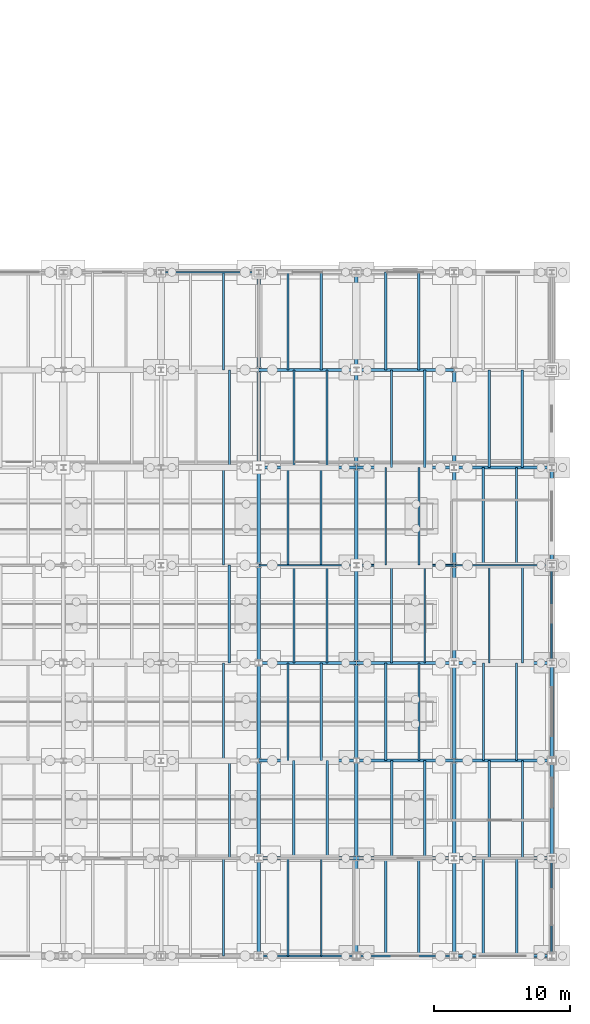
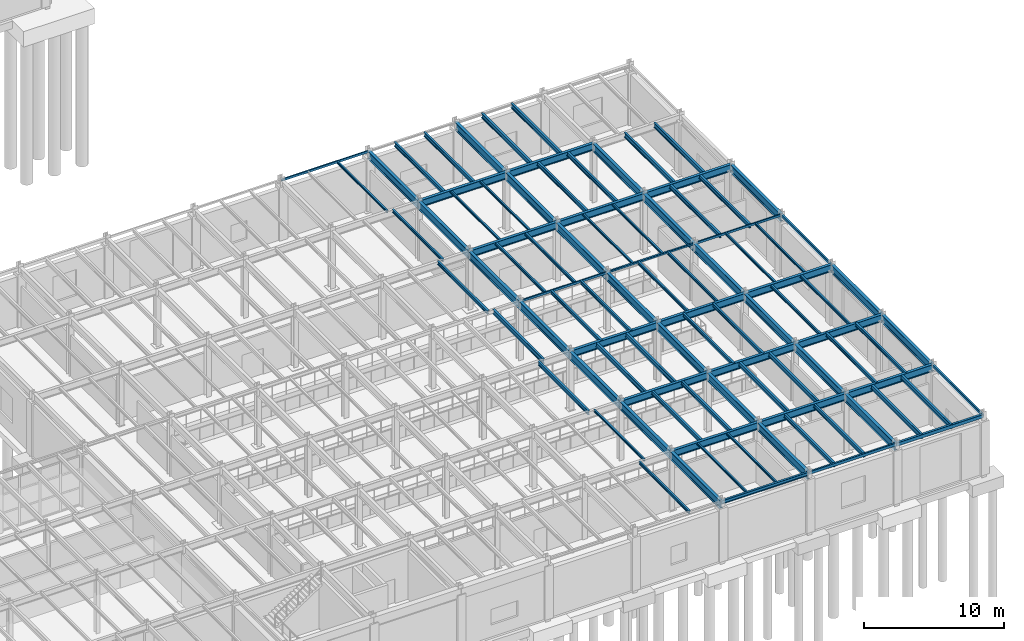
# One storey, part 163 of 293: 93 beams.
"""IFC4 building model written with IfcOpenShell, lengths in metres."""

from ifc_helpers import new_model, si_unit, direction, frame, origin, origin_2d, place, context, subcontext, project, spatial, hollow_rectangle, i_section, extrude, material, material_profile, profile_set, type_object, element, save


model = new_model("IFC4")

# Units and contexts
model_context = context("Model", 3, precision=1e-05, world=origin(), true_north=direction((0.0, 1.0)))
body_context = subcontext(model_context, "Body", "Model", "MODEL_VIEW")
ifc_project = project(units=[si_unit("LENGTHUNIT", "METRE"), si_unit("AREAUNIT", "SQUARE_METRE"), si_unit("VOLUMEUNIT", "CUBIC_METRE"), si_unit("PLANEANGLEUNIT", "RADIAN"), si_unit("MASSUNIT", "GRAM", prefix="KILO")], contexts=[model_context])

# Site, building, storey
site_placement = place(None, origin())
site = spatial("IfcSite", under=ifc_project, at=site_placement, CompositionType="ELEMENT")
building_placement = place(site_placement, origin())
building = spatial("IfcBuilding", under=site, at=building_placement, Name="Kemerveld Promenade Tramway Depot", CompositionType="ELEMENT")
storey_placement = place(building_placement, origin())
storey = spatial("IfcBuildingStorey", under=building, at=storey_placement, Name="L00", CompositionType="ELEMENT", Elevation=0.0)

# Beams
ifc_material = material(Name="Steel S355", Category="steel")
ifc_material_profile_1 = material_profile(ifc_material, i_section(OverallWidth=0.25439453125, OverallDepth=0.6875, WebThickness=0.01318359375, FlangeThickness=0.02099609375, FilletRadius=0.01513671875, at=origin_2d()), Name="686x254x152 UB")
ifc_profile_set_1 = profile_set([ifc_material_profile_1], Name="Steel S355")
beam_type_1 = type_object("IfcBeamType", Name="BM-G03", PredefinedType="BEAM", material=ifc_profile_set_1)
for number, where, z_axis, x_axis, name in (
    (1, (194.39990234375, 0.0, 4.7763671875), (0.0, 1.0, 0.0), (-1.0, 0.0, 0.0), "BMY-L00-28-A-B"),
    (2, (194.39990234375, 7.199951171875, 4.7763671875), (0.0, 1.0, 0.0), (-1.0, 0.0, 0.0), "BMY-L00-28-B-C"),
):
    element("IfcBeam", number, at=place(storey_placement, frame(where, z_axis=z_axis, x_axis=x_axis)), inside=storey, type_object=beam_type_1, Name=name, PredefinedType="BEAM", context=body_context, shape_type="SweptSolid", body=[
        extrude(i_section(OverallWidth=0.25439453125, OverallDepth=0.6875, WebThickness=0.01318359375, FlangeThickness=0.02099609375, FilletRadius=0.01513671875, at=origin_2d()), origin(), (0.0, 0.0, 1.0), 7.199951171875),
    ])
beam_1_placement = place(storey_placement, frame((194.39990234375, 14.39990234375, 4.7763671875), z_axis=(0.0, 1.0, 0.0), x_axis=(-1.0, 0.0, 0.0)))
element("IfcBeam", 3, at=beam_1_placement, inside=storey, type_object=beam_type_1, Name="BMY-L00-28-C-D", PredefinedType="BEAM", context=body_context, shape_type="SweptSolid", body=[
    extrude(i_section(OverallWidth=0.25439453125, OverallDepth=0.6875, WebThickness=0.01318359375, FlangeThickness=0.02099609375, FilletRadius=0.01513671875, at=origin_2d()), origin(), (0.0, 0.0, 1.0), 7.2001953125),
])
for number, where, z_axis, x_axis, name in (
    (4, (194.39990234375, 21.60009765625, 4.7763671875), (0.0, 1.0, 0.0), (-1.0, 0.0, 0.0), "BMY-L00-28-D-E"),
    (5, (194.39990234375, 28.800048828125, 4.7763671875), (0.0, 1.0, 0.0), (-1.0, 0.0, 0.0), "BMY-L00-28-E-F"),
    (6, (194.39990234375, 36.0, 4.7763671875), (0.0, 1.0, 0.0), (-1.0, 0.0, 0.0), "BMY-L00-28-F-G"),
    (7, (194.39990234375, 43.199951171875, 4.7763671875), (0.0, 1.0, 0.0), (-1.0, 0.0, 0.0), "BMY-L00-28-G-H"),
    (8, (201.60009765625, 0.0, 4.7763671875), (0.0, 1.0, 0.0), (-1.0, 0.0, 0.0), "BMY-L00-29-A-B"),
    (9, (201.60009765625, 7.199951171875, 4.7763671875), (0.0, 1.0, 0.0), (-1.0, 0.0, 0.0), "BMY-L00-29-B-C"),
):
    element("IfcBeam", number, at=place(storey_placement, frame(where, z_axis=z_axis, x_axis=x_axis)), inside=storey, type_object=beam_type_1, Name=name, PredefinedType="BEAM", context=body_context, shape_type="SweptSolid", body=[
        extrude(i_section(OverallWidth=0.25439453125, OverallDepth=0.6875, WebThickness=0.01318359375, FlangeThickness=0.02099609375, FilletRadius=0.01513671875, at=origin_2d()), origin(), (0.0, 0.0, 1.0), 7.199951171875),
    ])
beam_2_placement = place(storey_placement, frame((201.60009765625, 14.39990234375, 4.7763671875), z_axis=(0.0, 1.0, 0.0), x_axis=(-1.0, 0.0, 0.0)))
element("IfcBeam", 10, at=beam_2_placement, inside=storey, type_object=beam_type_1, Name="BMY-L00-29-C-D", PredefinedType="BEAM", context=body_context, shape_type="SweptSolid", body=[
    extrude(i_section(OverallWidth=0.25439453125, OverallDepth=0.6875, WebThickness=0.01318359375, FlangeThickness=0.02099609375, FilletRadius=0.01513671875, at=origin_2d()), origin(), (0.0, 0.0, 1.0), 7.2001953125),
])
for number, where, z_axis, x_axis, name in (
    (11, (201.60009765625, 21.60009765625, 4.7763671875), (0.0, 1.0, 0.0), (-1.0, 0.0, 0.0), "BMY-L00-29-D-E"),
    (12, (201.60009765625, 28.800048828125, 4.7763671875), (0.0, 1.0, 0.0), (-1.0, 0.0, 0.0), "BMY-L00-29-E-F"),
    (13, (201.60009765625, 36.0, 4.7763671875), (0.0, 1.0, 0.0), (-1.0, 0.0, 0.0), "BMY-L00-29-F-G"),
    (14, (201.60009765625, 43.199951171875, 4.7763671875), (0.0, 1.0, 0.0), (-1.0, 0.0, 0.0), "BMY-L00-29-G-H"),
    (15, (208.800048828125, 0.0, 4.7763671875), (0.0, 1.0, 0.0), (-1.0, 0.0, 0.0), "BMY-L00-30-A-B"),
    (16, (208.800048828125, 7.199951171875, 4.7763671875), (0.0, 1.0, 0.0), (-1.0, 0.0, 0.0), "BMY-L00-30-B-C"),
):
    element("IfcBeam", number, at=place(storey_placement, frame(where, z_axis=z_axis, x_axis=x_axis)), inside=storey, type_object=beam_type_1, Name=name, PredefinedType="BEAM", context=body_context, shape_type="SweptSolid", body=[
        extrude(i_section(OverallWidth=0.25439453125, OverallDepth=0.6875, WebThickness=0.01318359375, FlangeThickness=0.02099609375, FilletRadius=0.01513671875, at=origin_2d()), origin(), (0.0, 0.0, 1.0), 7.199951171875),
    ])
beam_3_placement = place(storey_placement, frame((208.800048828125, 14.39990234375, 4.7763671875), z_axis=(0.0, 1.0, 0.0), x_axis=(-1.0, 0.0, 0.0)))
element("IfcBeam", 17, at=beam_3_placement, inside=storey, type_object=beam_type_1, Name="BMY-L00-30-C-D", PredefinedType="BEAM", context=body_context, shape_type="SweptSolid", body=[
    extrude(i_section(OverallWidth=0.25439453125, OverallDepth=0.6875, WebThickness=0.01318359375, FlangeThickness=0.02099609375, FilletRadius=0.01513671875, at=origin_2d()), origin(), (0.0, 0.0, 1.0), 7.2001953125),
])
for number, where, z_axis, x_axis, name in (
    (18, (208.800048828125, 21.60009765625, 4.7763671875), (0.0, 1.0, 0.0), (-1.0, 0.0, 0.0), "BMY-L00-30-D-E"),
    (19, (208.800048828125, 28.800048828125, 4.7763671875), (0.0, 1.0, 0.0), (-1.0, 0.0, 0.0), "BMY-L00-30-E-F"),
    (20, (208.800048828125, 36.0, 4.7763671875), (0.0, 1.0, 0.0), (-1.0, 0.0, 0.0), "BMY-L00-30-F-G"),
    (21, (216.0, 7.199951171875, 4.7763671875), (0.0, 1.0, 0.0), (-1.0, 0.0, 0.0), "BMY-L00-31-B-C"),
):
    element("IfcBeam", number, at=place(storey_placement, frame(where, z_axis=z_axis, x_axis=x_axis)), inside=storey, type_object=beam_type_1, Name=name, PredefinedType="BEAM", context=body_context, shape_type="SweptSolid", body=[
        extrude(i_section(OverallWidth=0.25439453125, OverallDepth=0.6875, WebThickness=0.01318359375, FlangeThickness=0.02099609375, FilletRadius=0.01513671875, at=origin_2d()), origin(), (0.0, 0.0, 1.0), 7.199951171875),
    ])
beam_4_placement = place(storey_placement, frame((216.0, 14.39990234375, 4.7763671875), z_axis=(0.0, 1.0, 0.0), x_axis=(-1.0, 0.0, 0.0)))
element("IfcBeam", 22, at=beam_4_placement, inside=storey, type_object=beam_type_1, Name="BMY-L00-31-C-D", PredefinedType="BEAM", context=body_context, shape_type="SweptSolid", body=[
    extrude(i_section(OverallWidth=0.25439453125, OverallDepth=0.6875, WebThickness=0.01318359375, FlangeThickness=0.02099609375, FilletRadius=0.01513671875, at=origin_2d()), origin(), (0.0, 0.0, 1.0), 7.2001953125),
])
beam_5_placement = place(storey_placement, frame((216.0, 28.800048828125, 4.7763671875), z_axis=(0.0, 1.0, 0.0), x_axis=(-1.0, 0.0, 0.0)))
element("IfcBeam", 23, at=beam_5_placement, inside=storey, type_object=beam_type_1, Name="BMY-L00-31-E-F", PredefinedType="BEAM", context=body_context, shape_type="SweptSolid", body=[
    extrude(i_section(OverallWidth=0.25439453125, OverallDepth=0.6875, WebThickness=0.01318359375, FlangeThickness=0.02099609375, FilletRadius=0.01513671875, at=origin_2d()), origin(), (0.0, 0.0, 1.0), 7.199951171875),
])
ifc_material_profile_2 = material_profile(ifc_material, i_section(OverallWidth=0.22900390625, OverallDepth=0.6123046875, WebThickness=0.011962890625, FlangeThickness=0.01953125, FilletRadius=0.0126953125, at=origin_2d()), Name="610x229x125 UB")
ifc_profile_set_2 = profile_set([ifc_material_profile_2], Name="Steel S355")
beam_type_2 = type_object("IfcBeamType", Name="BM-G04", PredefinedType="BEAM", material=ifc_profile_set_2)
beam_6_placement = place(storey_placement, frame((194.39990234375, 7.199951171875, 4.81396484375), z_axis=(1.0, 0.0, 0.0), x_axis=(0.0, 1.0, 0.0)))
element("IfcBeam", 24, at=beam_6_placement, inside=storey, type_object=beam_type_2, Name="BMX-L00-28-29-B", PredefinedType="BEAM", context=body_context, shape_type="SweptSolid", body=[
    extrude(i_section(OverallWidth=0.22900390625, OverallDepth=0.6123046875, WebThickness=0.011962890625, FlangeThickness=0.01953125, FilletRadius=0.0126953125, at=origin_2d()), origin(), (0.0, 0.0, 1.0), 7.2001953125),
])
for number, where, z_axis, x_axis, name in (
    (25, (201.60009765625, 7.199951171875, 4.81396484375), (1.0, 0.0, 0.0), (0.0, 1.0, 0.0), "BMX-L00-29-30-B"),
    (26, (208.800048828125, 7.199951171875, 4.81396484375), (1.0, 0.0, 0.0), (0.0, 1.0, 0.0), "BMX-L00-30-31-B"),
):
    element("IfcBeam", number, at=place(storey_placement, frame(where, z_axis=z_axis, x_axis=x_axis)), inside=storey, type_object=beam_type_2, Name=name, PredefinedType="BEAM", context=body_context, shape_type="SweptSolid", body=[
        extrude(i_section(OverallWidth=0.22900390625, OverallDepth=0.6123046875, WebThickness=0.011962890625, FlangeThickness=0.01953125, FilletRadius=0.0126953125, at=origin_2d()), origin(), (0.0, 0.0, 1.0), 7.199951171875),
    ])
beam_7_placement = place(storey_placement, frame((194.39990234375, 14.39990234375, 4.81396484375), z_axis=(1.0, 0.0, 0.0), x_axis=(0.0, 1.0, 0.0)))
element("IfcBeam", 27, at=beam_7_placement, inside=storey, type_object=beam_type_2, Name="BMX-L00-28-29-C", PredefinedType="BEAM", context=body_context, shape_type="SweptSolid", body=[
    extrude(i_section(OverallWidth=0.22900390625, OverallDepth=0.6123046875, WebThickness=0.011962890625, FlangeThickness=0.01953125, FilletRadius=0.0126953125, at=origin_2d()), origin(), (0.0, 0.0, 1.0), 7.2001953125),
])
for number, where, z_axis, x_axis, name in (
    (28, (201.60009765625, 14.39990234375, 4.81396484375), (1.0, 0.0, 0.0), (0.0, 1.0, 0.0), "BMX-L00-29-30-C"),
    (29, (208.800048828125, 14.39990234375, 4.81396484375), (1.0, 0.0, 0.0), (0.0, 1.0, 0.0), "BMX-L00-30-31-C"),
):
    element("IfcBeam", number, at=place(storey_placement, frame(where, z_axis=z_axis, x_axis=x_axis)), inside=storey, type_object=beam_type_2, Name=name, PredefinedType="BEAM", context=body_context, shape_type="SweptSolid", body=[
        extrude(i_section(OverallWidth=0.22900390625, OverallDepth=0.6123046875, WebThickness=0.011962890625, FlangeThickness=0.01953125, FilletRadius=0.0126953125, at=origin_2d()), origin(), (0.0, 0.0, 1.0), 7.199951171875),
    ])
beam_8_placement = place(storey_placement, frame((194.39990234375, 21.60009765625, 4.81396484375), z_axis=(1.0, 0.0, 0.0), x_axis=(0.0, 1.0, 0.0)))
element("IfcBeam", 30, at=beam_8_placement, inside=storey, type_object=beam_type_2, Name="BMX-L00-28-29-D", PredefinedType="BEAM", context=body_context, shape_type="SweptSolid", body=[
    extrude(i_section(OverallWidth=0.22900390625, OverallDepth=0.6123046875, WebThickness=0.011962890625, FlangeThickness=0.01953125, FilletRadius=0.0126953125, at=origin_2d()), origin(), (0.0, 0.0, 1.0), 7.2001953125),
])
for number, where, z_axis, x_axis, name in (
    (31, (201.60009765625, 21.60009765625, 4.81396484375), (1.0, 0.0, 0.0), (0.0, 1.0, 0.0), "BMX-L00-29-30-D"),
    (32, (208.800048828125, 21.60009765625, 4.81396484375), (1.0, 0.0, 0.0), (0.0, 1.0, 0.0), "BMX-L00-30-31-D"),
):
    element("IfcBeam", number, at=place(storey_placement, frame(where, z_axis=z_axis, x_axis=x_axis)), inside=storey, type_object=beam_type_2, Name=name, PredefinedType="BEAM", context=body_context, shape_type="SweptSolid", body=[
        extrude(i_section(OverallWidth=0.22900390625, OverallDepth=0.6123046875, WebThickness=0.011962890625, FlangeThickness=0.01953125, FilletRadius=0.0126953125, at=origin_2d()), origin(), (0.0, 0.0, 1.0), 7.199951171875),
    ])
beam_9_placement = place(storey_placement, frame((194.39990234375, 36.0, 4.81396484375), z_axis=(1.0, 0.0, 0.0), x_axis=(0.0, 1.0, 0.0)))
element("IfcBeam", 33, at=beam_9_placement, inside=storey, type_object=beam_type_2, Name="BMX-L00-28-29-F", PredefinedType="BEAM", context=body_context, shape_type="SweptSolid", body=[
    extrude(i_section(OverallWidth=0.22900390625, OverallDepth=0.6123046875, WebThickness=0.011962890625, FlangeThickness=0.01953125, FilletRadius=0.0126953125, at=origin_2d()), origin(), (0.0, 0.0, 1.0), 7.2001953125),
])
for number, where, z_axis, x_axis, name in (
    (34, (201.60009765625, 36.0, 4.81396484375), (1.0, 0.0, 0.0), (0.0, 1.0, 0.0), "BMX-L00-29-30-F"),
    (35, (208.800048828125, 36.0, 4.81396484375), (1.0, 0.0, 0.0), (0.0, 1.0, 0.0), "BMX-L00-30-31-F"),
):
    element("IfcBeam", number, at=place(storey_placement, frame(where, z_axis=z_axis, x_axis=x_axis)), inside=storey, type_object=beam_type_2, Name=name, PredefinedType="BEAM", context=body_context, shape_type="SweptSolid", body=[
        extrude(i_section(OverallWidth=0.22900390625, OverallDepth=0.6123046875, WebThickness=0.011962890625, FlangeThickness=0.01953125, FilletRadius=0.0126953125, at=origin_2d()), origin(), (0.0, 0.0, 1.0), 7.199951171875),
    ])
beam_10_placement = place(storey_placement, frame((194.39990234375, 43.199951171875, 4.81396484375), z_axis=(1.0, 0.0, 0.0), x_axis=(0.0, 1.0, 0.0)))
element("IfcBeam", 36, at=beam_10_placement, inside=storey, type_object=beam_type_2, Name="BMX-L00-28-29-G", PredefinedType="BEAM", context=body_context, shape_type="SweptSolid", body=[
    extrude(i_section(OverallWidth=0.22900390625, OverallDepth=0.6123046875, WebThickness=0.011962890625, FlangeThickness=0.01953125, FilletRadius=0.0126953125, at=origin_2d()), origin(), (0.0, 0.0, 1.0), 7.2001953125),
])
beam_11_placement = place(storey_placement, frame((201.60009765625, 43.199951171875, 4.81396484375), z_axis=(1.0, 0.0, 0.0), x_axis=(0.0, 1.0, 0.0)))
element("IfcBeam", 37, at=beam_11_placement, inside=storey, type_object=beam_type_2, Name="BMX-L00-29-30-G", PredefinedType="BEAM", context=body_context, shape_type="SweptSolid", body=[
    extrude(i_section(OverallWidth=0.22900390625, OverallDepth=0.6123046875, WebThickness=0.011962890625, FlangeThickness=0.01953125, FilletRadius=0.0126953125, at=origin_2d()), origin(), (0.0, 0.0, 1.0), 7.199951171875),
])
ifc_material_profile_3 = material_profile(ifc_material, i_section(OverallWidth=0.165771484375, OverallDepth=0.306640625, WebThickness=0.006591796875, FlangeThickness=0.01171875, FilletRadius=0.0087890625, at=origin_2d()), Name="305x165x46 UB")
ifc_profile_set_3 = profile_set([ifc_material_profile_3], Name="Steel S355")
beam_type_3 = type_object("IfcBeamType", Name="BM-G16", PredefinedType="BEAM", material=ifc_profile_set_3)
beam_12_placement = place(storey_placement, frame((194.39990234375, 0.0, 4.966796875), z_axis=(1.0, 0.0, 0.0), x_axis=(0.0, 1.0, 0.0)))
element("IfcBeam", 38, at=beam_12_placement, inside=storey, type_object=beam_type_3, Name="BMX-L00-28-29-A", PredefinedType="BEAM", context=body_context, shape_type="SweptSolid", body=[
    extrude(i_section(OverallWidth=0.165771484375, OverallDepth=0.306640625, WebThickness=0.006591796875, FlangeThickness=0.01171875, FilletRadius=0.0087890625, at=origin_2d()), origin(), (0.0, 0.0, 1.0), 7.2001953125),
])
ifc_material_profile_4 = material_profile(ifc_material, hollow_rectangle(XDim=0.14990234375, YDim=0.25, WallThickness=0.010009765625, InnerFilletRadius=0.0048828125, OuterFilletRadius=0.014892578125, at=origin_2d()), Name="250x150x10.0 RHS")
ifc_profile_set_4 = profile_set([ifc_material_profile_4], Name="Steel S355")
beam_type_4 = type_object("IfcBeamType", Name="BM-G17", PredefinedType="BEAM", material=ifc_profile_set_4)
beam_13_placement = place(storey_placement, frame((201.60009765625, 0.0, 4.9951171875), z_axis=(1.0, 0.0, 0.0), x_axis=(0.0, 1.0, 0.0)))
element("IfcBeam", 39, at=beam_13_placement, inside=storey, type_object=beam_type_4, Name="BMX-L00-29-30-A", PredefinedType="BEAM", context=body_context, shape_type="SweptSolid", body=[
    extrude(hollow_rectangle(XDim=0.14990234375, YDim=0.25, WallThickness=0.010009765625, InnerFilletRadius=0.0048828125, OuterFilletRadius=0.014892578125, at=origin_2d()), origin(), (0.0, 0.0, 1.0), 7.199951171875),
])
ifc_material_profile_5 = material_profile(ifc_material, hollow_rectangle(XDim=0.199951171875, YDim=0.300048828125, WallThickness=0.012451171875, InnerFilletRadius=0.00634765625, OuterFilletRadius=0.018798828125, at=origin_2d()), Name="300x200x12.5 RHS")
ifc_profile_set_5 = profile_set([ifc_material_profile_5], Name="Steel S355")
beam_type_5 = type_object("IfcBeamType", Name="BM-G18", PredefinedType="BEAM", material=ifc_profile_set_5)
beam_14_placement = place(storey_placement, frame((208.800048828125, 0.0, 4.969970703125), z_axis=(1.0, 0.0, 0.0), x_axis=(0.0, 1.0, 0.0)))
element("IfcBeam", 40, at=beam_14_placement, inside=storey, type_object=beam_type_5, Name="BMX-L00-30-31-A", PredefinedType="BEAM", context=body_context, shape_type="SweptSolid", body=[
    extrude(hollow_rectangle(XDim=0.199951171875, YDim=0.300048828125, WallThickness=0.012451171875, InnerFilletRadius=0.00634765625, OuterFilletRadius=0.018798828125, at=origin_2d()), origin(), (0.0, 0.0, 1.0), 7.199951171875),
])
ifc_material_profile_6 = material_profile(ifc_material, i_section(OverallWidth=0.165771484375, OverallDepth=0.306640625, WebThickness=0.006591796875, FlangeThickness=0.01171875, FilletRadius=0.0087890625, at=origin_2d()), Name="305x165x46 UB")
ifc_profile_set_6 = profile_set([ifc_material_profile_6], Name="Steel S355")
beam_type_6 = type_object("IfcBeamType", Name="BM-J01", PredefinedType="JOIST", material=ifc_profile_set_6)
for number, where, z_axis, x_axis, name in (
    (41, (191.80810546875, 28.800048828125, 4.966796875), (0.0, 1.0, 0.0), (-1.0, 0.0, 0.0), "JST-L00-27-E-2"),
    (42, (196.991943359375, 21.60009765625, 4.966796875), (0.0, 1.0, 0.0), (-1.0, 0.0, 0.0), "JST-L00-28-D-1"),
    (43, (199.43994140625, 21.60009765625, 4.966796875), (0.0, 1.0, 0.0), (-1.0, 0.0, 0.0), "JST-L00-28-D-2"),
):
    element("IfcBeam", number, at=place(storey_placement, frame(where, z_axis=z_axis, x_axis=x_axis)), inside=storey, type_object=beam_type_6, Name=name, PredefinedType="JOIST", context=body_context, shape_type="SweptSolid", body=[
        extrude(i_section(OverallWidth=0.165771484375, OverallDepth=0.306640625, WebThickness=0.006591796875, FlangeThickness=0.01171875, FilletRadius=0.0087890625, at=origin_2d()), origin(), (0.0, 0.0, 1.0), 7.199951171875),
    ])
for number, where, z_axis, x_axis, name in (
    (44, (203.760009765625, 14.39990234375, 4.966796875), (0.0, 1.0, 0.0), (-1.0, 0.0, 0.0), "JST-L00-29-C-1"),
    (45, (206.2080078125, 14.39990234375, 4.966796875), (0.0, 1.0, 0.0), (-1.0, 0.0, 0.0), "JST-L00-29-C-2"),
):
    element("IfcBeam", number, at=place(storey_placement, frame(where, z_axis=z_axis, x_axis=x_axis)), inside=storey, type_object=beam_type_6, Name=name, PredefinedType="JOIST", context=body_context, shape_type="SweptSolid", body=[
        extrude(i_section(OverallWidth=0.165771484375, OverallDepth=0.306640625, WebThickness=0.006591796875, FlangeThickness=0.01171875, FilletRadius=0.0087890625, at=origin_2d()), origin(), (0.0, 0.0, 1.0), 7.2001953125),
    ])
for number, where, z_axis, x_axis, name in (
    (46, (211.39208984375, 7.199951171875, 4.966796875), (0.0, 1.0, 0.0), (-1.0, 0.0, 0.0), "JST-L00-30-B-1"),
    (47, (213.840087890625, 7.199951171875, 4.966796875), (0.0, 1.0, 0.0), (-1.0, 0.0, 0.0), "JST-L00-30-B-2"),
):
    element("IfcBeam", number, at=place(storey_placement, frame(where, z_axis=z_axis, x_axis=x_axis)), inside=storey, type_object=beam_type_6, Name=name, PredefinedType="JOIST", context=body_context, shape_type="SweptSolid", body=[
        extrude(i_section(OverallWidth=0.165771484375, OverallDepth=0.306640625, WebThickness=0.006591796875, FlangeThickness=0.01171875, FilletRadius=0.0087890625, at=origin_2d()), origin(), (0.0, 0.0, 1.0), 7.199951171875),
    ])
ifc_material_profile_7 = material_profile(ifc_material, i_section(OverallWidth=0.146484375, OverallDepth=0.256103515625, WebThickness=0.00634765625, FlangeThickness=0.010986328125, FilletRadius=0.007568359375, at=origin_2d()), Name="254x146x37 UB")
ifc_profile_set_7 = profile_set([ifc_material_profile_7], Name="Steel S355")
beam_type_7 = type_object("IfcBeamType", Name="BM-J02", PredefinedType="JOIST", material=ifc_profile_set_7)
for number, where, z_axis, x_axis, name in (
    (48, (191.80810546875, 0.0, 4.991943359375), (0.0, 1.0, 0.0), (-1.0, 0.0, 0.0), "JST-L00-27-A-2"),
    (49, (192.239990234375, 36.0, 4.991943359375), (0.0, 1.0, 0.0), (-1.0, 0.0, 0.0), "JST-L00-27-F-2"),
    (50, (196.56005859375, 28.800048828125, 4.991943359375), (0.0, 1.0, 0.0), (-1.0, 0.0, 0.0), "JST-L00-28-E-1"),
    (51, (199.008056640625, 28.800048828125, 4.991943359375), (0.0, 1.0, 0.0), (-1.0, 0.0, 0.0), "JST-L00-28-E-2"),
    (52, (204.19189453125, 21.60009765625, 4.991943359375), (0.0, 1.0, 0.0), (-1.0, 0.0, 0.0), "JST-L00-29-D-1"),
    (53, (206.639892578125, 21.60009765625, 4.991943359375), (0.0, 1.0, 0.0), (-1.0, 0.0, 0.0), "JST-L00-29-D-2"),
):
    element("IfcBeam", number, at=place(storey_placement, frame(where, z_axis=z_axis, x_axis=x_axis)), inside=storey, type_object=beam_type_7, Name=name, PredefinedType="JOIST", context=body_context, shape_type="SweptSolid", body=[
        extrude(i_section(OverallWidth=0.146484375, OverallDepth=0.256103515625, WebThickness=0.00634765625, FlangeThickness=0.010986328125, FilletRadius=0.007568359375, at=origin_2d()), origin(), (0.0, 0.0, 1.0), 7.199951171875),
    ])
for number, where, z_axis, x_axis, name in (
    (54, (210.9599609375, 14.39990234375, 4.991943359375), (0.0, 1.0, 0.0), (-1.0, 0.0, 0.0), "JST-L00-30-C-1"),
    (55, (213.407958984375, 14.39990234375, 4.991943359375), (0.0, 1.0, 0.0), (-1.0, 0.0, 0.0), "JST-L00-30-C-2"),
):
    element("IfcBeam", number, at=place(storey_placement, frame(where, z_axis=z_axis, x_axis=x_axis)), inside=storey, type_object=beam_type_7, Name=name, PredefinedType="JOIST", context=body_context, shape_type="SweptSolid", body=[
        extrude(i_section(OverallWidth=0.146484375, OverallDepth=0.256103515625, WebThickness=0.00634765625, FlangeThickness=0.010986328125, FilletRadius=0.007568359375, at=origin_2d()), origin(), (0.0, 0.0, 1.0), 7.2001953125),
    ])
ifc_material_profile_8 = material_profile(ifc_material, i_section(OverallWidth=0.13330078125, OverallDepth=0.203125, WebThickness=0.005615234375, FlangeThickness=0.0078125, FilletRadius=0.007568359375, at=origin_2d()), Name="203x133x25 UB")
ifc_profile_set_8 = profile_set([ifc_material_profile_8], Name="Steel S355")
beam_type_8 = type_object("IfcBeamType", Name="BM-J03", PredefinedType="JOIST", material=ifc_profile_set_8)
for number, where, z_axis, x_axis, name in (
    (56, (192.239990234375, 7.199951171875, 5.018310546875), (0.0, 1.0, 0.0), (-1.0, 0.0, 0.0), "JST-L00-27-B-2"),
    (57, (191.80810546875, 43.199951171875, 5.018310546875), (0.0, 1.0, 0.0), (-1.0, 0.0, 0.0), "JST-L00-27-G-2"),
    (58, (196.56005859375, 0.0, 5.018310546875), (0.0, 1.0, 0.0), (-1.0, 0.0, 0.0), "JST-L00-28-A-1"),
    (59, (199.008056640625, 0.0, 5.018310546875), (0.0, 1.0, 0.0), (-1.0, 0.0, 0.0), "JST-L00-28-A-2"),
    (60, (196.991943359375, 36.0, 5.018310546875), (0.0, 1.0, 0.0), (-1.0, 0.0, 0.0), "JST-L00-28-F-1"),
    (61, (199.43994140625, 36.0, 5.018310546875), (0.0, 1.0, 0.0), (-1.0, 0.0, 0.0), "JST-L00-28-F-2"),
    (62, (203.760009765625, 28.800048828125, 5.018310546875), (0.0, 1.0, 0.0), (-1.0, 0.0, 0.0), "JST-L00-29-E-1"),
    (63, (206.2080078125, 28.800048828125, 5.018310546875), (0.0, 1.0, 0.0), (-1.0, 0.0, 0.0), "JST-L00-29-E-2"),
    (64, (211.39208984375, 21.60009765625, 5.018310546875), (0.0, 1.0, 0.0), (-1.0, 0.0, 0.0), "JST-L00-30-D-1"),
    (65, (213.840087890625, 21.60009765625, 5.018310546875), (0.0, 1.0, 0.0), (-1.0, 0.0, 0.0), "JST-L00-30-D-2"),
):
    element("IfcBeam", number, at=place(storey_placement, frame(where, z_axis=z_axis, x_axis=x_axis)), inside=storey, type_object=beam_type_8, Name=name, PredefinedType="JOIST", context=body_context, shape_type="SweptSolid", body=[
        extrude(i_section(OverallWidth=0.13330078125, OverallDepth=0.203125, WebThickness=0.005615234375, FlangeThickness=0.0078125, FilletRadius=0.007568359375, at=origin_2d()), origin(), (0.0, 0.0, 1.0), 7.199951171875),
    ])
ifc_material_profile_9 = material_profile(ifc_material, i_section(OverallWidth=0.172119140625, OverallDepth=0.35791015625, WebThickness=0.008056640625, FlangeThickness=0.012939453125, FilletRadius=0.01025390625, at=origin_2d()), Name="356x171x57 UB")
ifc_profile_set_9 = profile_set([ifc_material_profile_9], Name="Steel S355")
beam_type_9 = type_object("IfcBeamType", Name="BM-J04", PredefinedType="JOIST", material=ifc_profile_set_9)
beam_15_placement = place(storey_placement, frame((191.80810546875, 14.39990234375, 4.94091796875), z_axis=(0.0, 1.0, 0.0), x_axis=(-1.0, 0.0, 0.0)))
element("IfcBeam", 66, at=beam_15_placement, inside=storey, type_object=beam_type_9, Name="JST-L00-27-C-2", PredefinedType="JOIST", context=body_context, shape_type="SweptSolid", body=[
    extrude(i_section(OverallWidth=0.172119140625, OverallDepth=0.35791015625, WebThickness=0.008056640625, FlangeThickness=0.012939453125, FilletRadius=0.01025390625, at=origin_2d()), origin(), (0.0, 0.0, 1.0), 7.2001953125),
])
for number, where, z_axis, x_axis, name in (
    (67, (196.991943359375, 7.199951171875, 4.94091796875), (0.0, 1.0, 0.0), (-1.0, 0.0, 0.0), "JST-L00-28-B-1"),
    (68, (199.43994140625, 7.199951171875, 4.94091796875), (0.0, 1.0, 0.0), (-1.0, 0.0, 0.0), "JST-L00-28-B-2"),
    (69, (196.56005859375, 43.199951171875, 4.94091796875), (0.0, 1.0, 0.0), (-1.0, 0.0, 0.0), "JST-L00-28-G-1"),
    (70, (199.008056640625, 43.199951171875, 4.94091796875), (0.0, 1.0, 0.0), (-1.0, 0.0, 0.0), "JST-L00-28-G-2"),
    (71, (203.760009765625, 0.0, 4.94091796875), (0.0, 1.0, 0.0), (-1.0, 0.0, 0.0), "JST-L00-29-A-1"),
    (72, (206.2080078125, 0.0, 4.94091796875), (0.0, 1.0, 0.0), (-1.0, 0.0, 0.0), "JST-L00-29-A-2"),
    (73, (204.19189453125, 36.0, 4.94091796875), (0.0, 1.0, 0.0), (-1.0, 0.0, 0.0), "JST-L00-29-F-1"),
    (74, (206.639892578125, 36.0, 4.94091796875), (0.0, 1.0, 0.0), (-1.0, 0.0, 0.0), "JST-L00-29-F-2"),
    (75, (210.9599609375, 28.800048828125, 4.94091796875), (0.0, 1.0, 0.0), (-1.0, 0.0, 0.0), "JST-L00-30-E-1"),
    (76, (213.407958984375, 28.800048828125, 4.94091796875), (0.0, 1.0, 0.0), (-1.0, 0.0, 0.0), "JST-L00-30-E-2"),
):
    element("IfcBeam", number, at=place(storey_placement, frame(where, z_axis=z_axis, x_axis=x_axis)), inside=storey, type_object=beam_type_9, Name=name, PredefinedType="JOIST", context=body_context, shape_type="SweptSolid", body=[
        extrude(i_section(OverallWidth=0.172119140625, OverallDepth=0.35791015625, WebThickness=0.008056640625, FlangeThickness=0.012939453125, FilletRadius=0.01025390625, at=origin_2d()), origin(), (0.0, 0.0, 1.0), 7.199951171875),
    ])
ifc_material_profile_10 = material_profile(ifc_material, i_section(OverallWidth=0.1787109375, OverallDepth=0.409423828125, WebThickness=0.0087890625, FlangeThickness=0.014404296875, FilletRadius=0.01025390625, at=origin_2d()), Name="406x178x67 UB")
ifc_profile_set_10 = profile_set([ifc_material_profile_10], Name="Steel S355")
beam_type_10 = type_object("IfcBeamType", Name="BM-J05", PredefinedType="JOIST", material=ifc_profile_set_10)
beam_16_placement = place(storey_placement, frame((192.239990234375, 21.60009765625, 4.915283203125), z_axis=(0.0, 1.0, 0.0), x_axis=(-1.0, 0.0, 0.0)))
element("IfcBeam", 77, at=beam_16_placement, inside=storey, type_object=beam_type_10, Name="JST-L00-27-D-2", PredefinedType="JOIST", context=body_context, shape_type="SweptSolid", body=[
    extrude(i_section(OverallWidth=0.1787109375, OverallDepth=0.409423828125, WebThickness=0.0087890625, FlangeThickness=0.014404296875, FilletRadius=0.01025390625, at=origin_2d()), origin(), (0.0, 0.0, 1.0), 7.199951171875),
])
for number, where, z_axis, x_axis, name in (
    (78, (196.56005859375, 14.39990234375, 4.915283203125), (0.0, 1.0, 0.0), (-1.0, 0.0, 0.0), "JST-L00-28-C-1"),
    (79, (199.008056640625, 14.39990234375, 4.915283203125), (0.0, 1.0, 0.0), (-1.0, 0.0, 0.0), "JST-L00-28-C-2"),
):
    element("IfcBeam", number, at=place(storey_placement, frame(where, z_axis=z_axis, x_axis=x_axis)), inside=storey, type_object=beam_type_10, Name=name, PredefinedType="JOIST", context=body_context, shape_type="SweptSolid", body=[
        extrude(i_section(OverallWidth=0.1787109375, OverallDepth=0.409423828125, WebThickness=0.0087890625, FlangeThickness=0.014404296875, FilletRadius=0.01025390625, at=origin_2d()), origin(), (0.0, 0.0, 1.0), 7.2001953125),
    ])
for number, where, z_axis, x_axis, name in (
    (80, (204.19189453125, 7.199951171875, 4.915283203125), (0.0, 1.0, 0.0), (-1.0, 0.0, 0.0), "JST-L00-29-B-1"),
    (81, (206.639892578125, 7.199951171875, 4.915283203125), (0.0, 1.0, 0.0), (-1.0, 0.0, 0.0), "JST-L00-29-B-2"),
    (82, (203.760009765625, 43.199951171875, 4.915283203125), (0.0, 1.0, 0.0), (-1.0, 0.0, 0.0), "JST-L00-29-G-1"),
    (83, (206.2080078125, 43.199951171875, 4.915283203125), (0.0, 1.0, 0.0), (-1.0, 0.0, 0.0), "JST-L00-29-G-2"),
    (84, (210.9599609375, 0.0, 4.915283203125), (0.0, 1.0, 0.0), (-1.0, 0.0, 0.0), "JST-L00-30-A-1"),
    (85, (213.407958984375, 0.0, 4.915283203125), (0.0, 1.0, 0.0), (-1.0, 0.0, 0.0), "JST-L00-30-A-2"),
    (86, (211.39208984375, 36.0, 4.915283203125), (0.0, 1.0, 0.0), (-1.0, 0.0, 0.0), "JST-L00-30-F-1"),
    (87, (213.840087890625, 36.0, 4.915283203125), (0.0, 1.0, 0.0), (-1.0, 0.0, 0.0), "JST-L00-30-F-2"),
):
    element("IfcBeam", number, at=place(storey_placement, frame(where, z_axis=z_axis, x_axis=x_axis)), inside=storey, type_object=beam_type_10, Name=name, PredefinedType="JOIST", context=body_context, shape_type="SweptSolid", body=[
        extrude(i_section(OverallWidth=0.1787109375, OverallDepth=0.409423828125, WebThickness=0.0087890625, FlangeThickness=0.014404296875, FilletRadius=0.01025390625, at=origin_2d()), origin(), (0.0, 0.0, 1.0), 7.199951171875),
    ])
ifc_material_profile_11 = material_profile(ifc_material, hollow_rectangle(XDim=0.10009765625, YDim=0.199951171875, WallThickness=0.008056640625, InnerFilletRadius=0.00390625, OuterFilletRadius=0.011962890625, at=origin_2d()), Name="200x100x8.0 RHS")
ifc_profile_set_11 = profile_set([ifc_material_profile_11], Name="Steel S355")
beam_type_11 = type_object("IfcBeamType", Name="BM-LN1", PredefinedType="LINTEL", material=ifc_profile_set_11)
for number, where, z_axis, x_axis, name in (
    (88, (208.800048828125, 28.800048828125, 5.02001953125), (1.0, 0.0, 0.0), (0.0, 1.0, 0.0), "BMX-L00-30-31-E"),
    (89, (187.199951171875, 50.39990234375, 5.02001953125), (1.0, 0.0, 0.0), (0.0, 1.0, 0.0), "BMX-L00-27-28-H"),
):
    element("IfcBeam", number, at=place(storey_placement, frame(where, z_axis=z_axis, x_axis=x_axis)), inside=storey, type_object=beam_type_11, Name=name, PredefinedType="LINTEL", context=body_context, shape_type="SweptSolid", body=[
        extrude(hollow_rectangle(XDim=0.10009765625, YDim=0.199951171875, WallThickness=0.008056640625, InnerFilletRadius=0.00390625, OuterFilletRadius=0.011962890625, at=origin_2d()), origin(), (0.0, 0.0, 1.0), 7.199951171875),
    ])
ifc_material_profile_12 = material_profile(ifc_material, hollow_rectangle(XDim=0.14990234375, YDim=0.25, WallThickness=0.010009765625, InnerFilletRadius=0.0048828125, OuterFilletRadius=0.014892578125, at=origin_2d()), Name="250x150x10.0 RHS")
ifc_profile_set_12 = profile_set([ifc_material_profile_12], Name="Steel S355")
beam_type_12 = type_object("IfcBeamType", Name="BM-SP2", PredefinedType="SPANDREL", material=ifc_profile_set_12)
for number, where, z_axis, x_axis, name in (
    (90, (216.0, 0.0, 4.9951171875), (0.0, 1.0, 0.0), (-1.0, 0.0, 0.0), "BMY-L00-31-A-B"),
    (91, (216.0, 21.60009765625, 4.9951171875), (0.0, 1.0, 0.0), (-1.0, 0.0, 0.0), "BMY-L00-31-D-E"),
):
    element("IfcBeam", number, at=place(storey_placement, frame(where, z_axis=z_axis, x_axis=x_axis)), inside=storey, type_object=beam_type_12, Name=name, PredefinedType="SPANDREL", context=body_context, shape_type="SweptSolid", body=[
        extrude(hollow_rectangle(XDim=0.14990234375, YDim=0.25, WallThickness=0.010009765625, InnerFilletRadius=0.0048828125, OuterFilletRadius=0.014892578125, at=origin_2d()), origin(), (0.0, 0.0, 1.0), 7.199951171875),
    ])
ifc_material_profile_13 = material_profile(ifc_material, hollow_rectangle(XDim=0.10009765625, YDim=0.199951171875, WallThickness=0.008056640625, InnerFilletRadius=0.00390625, OuterFilletRadius=0.011962890625, at=origin_2d()), Name="200x100x8.0 RHS")
ifc_profile_set_13 = profile_set([ifc_material_profile_13], Name="Steel S355")
beam_type_13 = type_object("IfcBeamType", Name="BM-SP3", PredefinedType="SPANDREL", material=ifc_profile_set_13)
beam_17_placement = place(storey_placement, frame((194.39990234375, 28.800048828125, 5.02001953125), z_axis=(1.0, 0.0, 0.0), x_axis=(0.0, 1.0, 0.0)))
element("IfcBeam", 92, at=beam_17_placement, inside=storey, type_object=beam_type_13, Name="BMX-L00-28-29-E", PredefinedType="SPANDREL", context=body_context, shape_type="SweptSolid", body=[
    extrude(hollow_rectangle(XDim=0.10009765625, YDim=0.199951171875, WallThickness=0.008056640625, InnerFilletRadius=0.00390625, OuterFilletRadius=0.011962890625, at=origin_2d()), origin(), (0.0, 0.0, 1.0), 7.2001953125),
])
ifc_material_profile_14 = material_profile(ifc_material, hollow_rectangle(XDim=0.14990234375, YDim=0.14990234375, WallThickness=0.008056640625, InnerFilletRadius=0.00390625, OuterFilletRadius=0.011962890625, at=origin_2d()), Name="150x150x8.0 SHS")
ifc_profile_set_14 = profile_set([ifc_material_profile_14], Name="Steel S355")
beam_type_14 = type_object("IfcBeamType", Name="BM-SP4", PredefinedType="SPANDREL", material=ifc_profile_set_14)
beam_18_placement = place(storey_placement, frame((201.60009765625, 28.800048828125, 5.044921875), z_axis=(1.0, 0.0, 0.0), x_axis=(0.0, 1.0, 0.0)))
element("IfcBeam", 93, at=beam_18_placement, inside=storey, type_object=beam_type_14, Name="BMX-L00-29-30-E", PredefinedType="SPANDREL", context=body_context, shape_type="SweptSolid", body=[
    extrude(hollow_rectangle(XDim=0.14990234375, YDim=0.14990234375, WallThickness=0.008056640625, InnerFilletRadius=0.00390625, OuterFilletRadius=0.011962890625, at=origin_2d()), origin(), (0.0, 0.0, 1.0), 7.199951171875),
])

save(model, "model.ifc")
